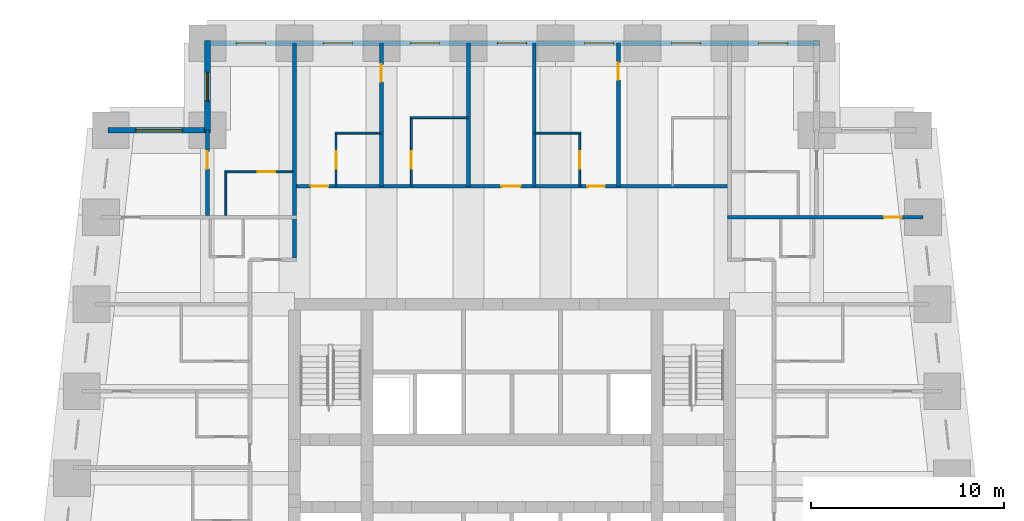
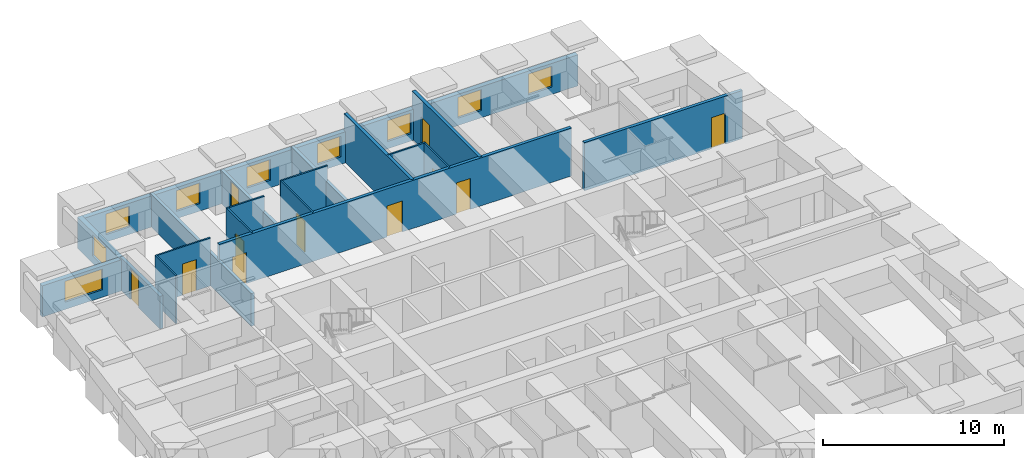
# One storey, part 6 of 8: 19 walls, 11 doors, 9 windows, 20 openings.
"""IFC4 building model written with IfcOpenShell, lengths in metres."""

from ifc_helpers import new_model, si_unit, direction, frame, frame_2d, origin, place, context, subcontext, project, spatial, rectangle, extrude, material, layer, layer_set, type_object, element, fill, save


model = new_model("IFC4")

# Units and contexts
model_context = context("Model", 3, precision=1e-05, world=origin(), true_north=direction((0.0, 1.0)))
body_context = subcontext(model_context, "Body", "Model", "MODEL_VIEW")
ifc_project = project(units=[si_unit("LENGTHUNIT", "METRE"), si_unit("AREAUNIT", "SQUARE_METRE"), si_unit("VOLUMEUNIT", "CUBIC_METRE"), si_unit("PLANEANGLEUNIT", "RADIAN"), si_unit("MASSUNIT", "GRAM", prefix="KILO")], contexts=[model_context])

# Site, building, storey
site_placement = place(None, origin())
site = spatial("IfcSite", under=ifc_project, at=site_placement, CompositionType="ELEMENT")
building_placement = place(site_placement, origin())
building = spatial("IfcBuilding", under=site, at=building_placement, Name="Kilele Tower Hotel", CompositionType="ELEMENT")
storey_placement = place(building_placement, frame((0.0, 0.0, 142.39990234375)))
storey = spatial("IfcBuildingStorey", under=building, at=storey_placement, Name="L37", CompositionType="ELEMENT", Elevation=142.39990234375)

# Wall
ifc_material_1 = material(Name="Moisture-resistant board")
ifc_layer_1 = layer(ifc_material_1, 0.10009765625)
ifc_layer_set_1 = layer_set([ifc_layer_1], Name="Moisture-resistant board")
wall_type_1 = type_object("IfcWallType", Name="Bathroom partition 100", PredefinedType="PLUMBINGWALL", material=ifc_layer_set_1)
wall_1_placement = place(storey_placement, frame((15.60009765625, 35.85009765625, 0.0), z_axis=(0.0, 0.0, 1.0), x_axis=(1.0, 0.0, 0.0)))
element("IfcWall", 1, at=wall_1_placement, inside=storey, type_object=wall_type_1, Name="Bathroom partition 100 L37", PredefinedType="PLUMBINGWALL", context=body_context, shape_type="SweptSolid", body=[
    extrude(rectangle(XDim=2.39990234375, YDim=0.10009765625, at=frame_2d((1.199951171875, 0.0))), origin(), (0.0, 0.0, 1.0), 3.25),
])

# Wall, opening, door
wall_2_placement = place(storey_placement, frame((15.64990234375, 33.10009765625, 0.0), z_axis=(0.0, 0.0, 1.0), x_axis=(0.0, 1.0, 0.0)))
wall_2 = element("IfcWall", 2, at=wall_2_placement, inside=storey, type_object=wall_type_1, Name="Bathroom partition 100 L37", PredefinedType="PLUMBINGWALL", context=body_context, shape_type="SweptSolid", body=[
    extrude(rectangle(XDim=2.7998046875, YDim=0.10009765625, at=frame_2d((1.39990234375, 0.0))), origin(), (0.0, 0.0, 1.0), 3.25),
])
opening_1_placement = place(wall_2_placement, frame((0.89990234375, 0.0, 0.0)))
opening_1 = element("IfcOpeningElement", 3, at=opening_1_placement, cuts=wall_2, Name="Opening D2A", PredefinedType="OPENING", context=body_context, shape_type="SweptSolid", body=[
    extrude(rectangle(XDim=0.89990234375, YDim=2.10009765625, at=frame_2d((0.449951171875, 1.050048828125))), frame((0.0, 0.06005859375, 0.0), z_axis=(0.0, -1.0, 0.0), x_axis=(1.0, 0.0, 0.0)), (0.0, 0.0, 1.0), 0.1201171875),
])
ifc_material_2 = material(Name="Timber door leaf in hardwood frame", Category="wood")
door_type_1 = type_object("IfcDoorType", Name="Bathroom door 900", OperationType="SINGLE_SWING_LEFT", PredefinedType="DOOR", material=ifc_material_2)
door_1_placement = place(opening_1_placement, origin())
door_1 = element("IfcDoor", 4, at=door_1_placement, inside=storey, type_object=door_type_1, Name="Bathroom door 3709B", OperationType="SINGLE_SWING_LEFT", OverallHeight=2.10009765625, OverallWidth=0.89990234375, PredefinedType="DOOR", context=body_context, shape_type="SweptSolid", body=[
    extrude(rectangle(XDim=0.89990234375, YDim=2.10009765625, at=frame_2d((0.449951171875, 1.050048828125))), frame((0.0, 0.02490234375, 0.0), z_axis=(0.0, -1.0, 0.0), x_axis=(1.0, 0.0, 0.0)), (0.0, 0.0, 1.0), 0.050048828125),
])
fill(opening_1, door_1)

# Wall
wall_3_placement = place(storey_placement, frame((19.5, 36.64990234375, 0.0), z_axis=(0.0, 0.0, 1.0), x_axis=(1.0, 0.0, 0.0)))
element("IfcWall", 5, at=wall_3_placement, inside=storey, type_object=wall_type_1, Name="Bathroom partition 100 L37", PredefinedType="PLUMBINGWALL", context=body_context, shape_type="SweptSolid", body=[
    extrude(rectangle(XDim=3.0, YDim=0.10009765625, at=frame_2d((1.5, 0.0))), origin(), (0.0, 0.0, 1.0), 3.25),
])

# Wall, opening, door
wall_4_placement = place(storey_placement, frame((19.550048828125, 33.10009765625, 0.0), z_axis=(0.0, 0.0, 1.0), x_axis=(0.0, 1.0, 0.0)))
wall_4 = element("IfcWall", 6, at=wall_4_placement, inside=storey, type_object=wall_type_1, Name="Bathroom partition 100 L37", PredefinedType="PLUMBINGWALL", context=body_context, shape_type="SweptSolid", body=[
    extrude(rectangle(XDim=3.599853515625, YDim=0.10009765625, at=frame_2d((1.7998046875, 0.0))), origin(), (0.0, 0.0, 1.0), 3.25),
])
opening_2_placement = place(wall_4_placement, frame((0.89990234375, 0.0, 0.0)))
opening_2 = element("IfcOpeningElement", 7, at=opening_2_placement, cuts=wall_4, Name="Opening D2A", PredefinedType="OPENING", context=body_context, shape_type="SweptSolid", body=[
    extrude(rectangle(XDim=0.89990234375, YDim=2.10009765625, at=frame_2d((0.449951171875, 1.050048828125))), frame((0.0, 0.06005859375, 0.0), z_axis=(0.0, -1.0, 0.0), x_axis=(1.0, 0.0, 0.0)), (0.0, 0.0, 1.0), 0.1201171875),
])
door_2_placement = place(opening_2_placement, origin())
door_2 = element("IfcDoor", 8, at=door_2_placement, inside=storey, type_object=door_type_1, Name="Bathroom door 3710B", OperationType="SINGLE_SWING_LEFT", OverallHeight=2.10009765625, OverallWidth=0.89990234375, PredefinedType="DOOR", context=body_context, shape_type="SweptSolid", body=[
    extrude(rectangle(XDim=0.89990234375, YDim=2.10009765625, at=frame_2d((0.449951171875, 1.050048828125))), frame((0.0, 0.02490234375, 0.0), z_axis=(0.0, -1.0, 0.0), x_axis=(1.0, 0.0, 0.0)), (0.0, 0.0, 1.0), 0.050048828125),
])
fill(opening_2, door_2)

# Wall
wall_5_placement = place(storey_placement, frame((25.89990234375, 35.85009765625, 0.0), z_axis=(0.0, 0.0, 1.0), x_axis=(1.0, 0.0, 0.0)))
element("IfcWall", 9, at=wall_5_placement, inside=storey, type_object=wall_type_1, Name="Bathroom partition 100 L37", PredefinedType="PLUMBINGWALL", context=body_context, shape_type="SweptSolid", body=[
    extrude(rectangle(XDim=2.400146484375, YDim=0.10009765625, at=frame_2d((1.2001953125, 0.0))), origin(), (0.0, 0.0, 1.0), 3.25),
])

# Wall, opening, door
wall_6_placement = place(storey_placement, frame((28.25, 33.10009765625, 0.0), z_axis=(0.0, 0.0, 1.0), x_axis=(0.0, 1.0, 0.0)))
wall_6 = element("IfcWall", 10, at=wall_6_placement, inside=storey, type_object=wall_type_1, Name="Bathroom partition 100 L37", PredefinedType="PLUMBINGWALL", context=body_context, shape_type="SweptSolid", body=[
    extrude(rectangle(XDim=2.7998046875, YDim=0.10009765625, at=frame_2d((1.39990234375, 0.0))), origin(), (0.0, 0.0, 1.0), 3.25),
])
opening_3_placement = place(wall_6_placement, frame((1.7998046875, 0.0, 0.0), z_axis=(0.0, 0.0, 1.0), x_axis=(-1.0, 0.0, 0.0)))
opening_3 = element("IfcOpeningElement", 11, at=opening_3_placement, cuts=wall_6, Name="Opening D2A", PredefinedType="OPENING", context=body_context, shape_type="SweptSolid", body=[
    extrude(rectangle(XDim=0.89990234375, YDim=2.10009765625, at=frame_2d((0.449951171875, 1.050048828125))), frame((0.0, 0.06005859375, 0.0), z_axis=(0.0, -1.0, 0.0), x_axis=(1.0, 0.0, 0.0)), (0.0, 0.0, 1.0), 0.1201171875),
])
door_3_placement = place(opening_3_placement, origin())
door_3 = element("IfcDoor", 12, at=door_3_placement, inside=storey, type_object=door_type_1, Name="Bathroom door 3712B", OperationType="SINGLE_SWING_RIGHT", OverallHeight=2.10009765625, OverallWidth=0.89990234375, PredefinedType="DOOR", context=body_context, shape_type="SweptSolid", body=[
    extrude(rectangle(XDim=0.89990234375, YDim=2.10009765625, at=frame_2d((0.449951171875, 1.050048828125))), frame((0.0, 0.02490234375, 0.0), z_axis=(0.0, -1.0, 0.0), x_axis=(1.0, 0.0, 0.0)), (0.0, 0.0, 1.0), 0.050048828125),
])
fill(opening_3, door_3)

# Wall
wall_7_placement = place(storey_placement, frame((9.949951171875, 31.60009765625, 0.0), z_axis=(0.0, 0.0, 1.0), x_axis=(0.0, 1.0, 0.0)))
element("IfcWall", 13, at=wall_7_placement, inside=storey, type_object=wall_type_1, Name="Bathroom partition 100 L37", PredefinedType="PLUMBINGWALL", context=body_context, shape_type="SweptSolid", body=[
    extrude(rectangle(XDim=2.2998046875, YDim=0.10009765625, at=frame_2d((1.14990234375, 0.0))), origin(), (0.0, 0.0, 1.0), 3.25),
])

# Wall, opening, door
wall_8_placement = place(storey_placement, frame((13.39990234375, 33.85009765625, 0.0), z_axis=(0.0, 0.0, 1.0), x_axis=(-1.0, 0.0, 0.0)))
wall_8 = element("IfcWall", 14, at=wall_8_placement, inside=storey, type_object=wall_type_1, Name="Bathroom partition 100 L37", PredefinedType="PLUMBINGWALL", context=body_context, shape_type="SweptSolid", body=[
    extrude(rectangle(XDim=3.5, YDim=0.10009765625, at=frame_2d((1.75, 0.0))), origin(), (0.0, 0.0, 1.0), 3.25),
])
opening_4_placement = place(wall_8_placement, frame((1.7998046875, 0.0, 0.0), z_axis=(0.0, 0.0, 1.0), x_axis=(-1.0, 0.0, 0.0)))
opening_4 = element("IfcOpeningElement", 15, at=opening_4_placement, cuts=wall_8, Name="Opening D2A", PredefinedType="OPENING", context=body_context, shape_type="SweptSolid", body=[
    extrude(rectangle(XDim=0.89990234375, YDim=2.10009765625, at=frame_2d((0.449951171875, 1.050048828125))), frame((0.0, 0.06005859375, 0.0), z_axis=(0.0, -1.0, 0.0), x_axis=(1.0, 0.0, 0.0)), (0.0, 0.0, 1.0), 0.1201171875),
])
door_4_placement = place(opening_4_placement, origin())
door_4 = element("IfcDoor", 16, at=door_4_placement, inside=storey, type_object=door_type_1, Name="Bathroom door 3727B", OperationType="SINGLE_SWING_RIGHT", OverallHeight=2.10009765625, OverallWidth=0.89990234375, PredefinedType="DOOR", context=body_context, shape_type="SweptSolid", body=[
    extrude(rectangle(XDim=0.89990234375, YDim=2.10009765625, at=frame_2d((0.449951171875, 1.050048828125))), frame((0.0, 0.02490234375, 0.0), z_axis=(0.0, -1.0, 0.0), x_axis=(1.0, 0.0, 0.0)), (0.0, 0.0, 1.0), 0.050048828125),
])
fill(opening_4, door_4)

# Wall, openings, doors
ifc_material_3 = material(Name="Blockwork, plastered both sides", Category="masonry")
ifc_layer_2 = layer(ifc_material_3, 0.199951171875)
ifc_layer_set_2 = layer_set([ifc_layer_2], Name="Blockwork, plastered both sides")
wall_type_2 = type_object("IfcWallType", Name="Corridor wall 200", PredefinedType="PARTITIONING", material=ifc_layer_set_2)
wall_9_placement = place(storey_placement, frame((13.5, 33.10009765625, 0.0), z_axis=(0.0, 0.0, 1.0), x_axis=(1.0, 0.0, 0.0)))
wall_9 = element("IfcWall", 17, at=wall_9_placement, inside=storey, type_object=wall_type_2, Name="Corridor wall 200 L37", PredefinedType="PARTITIONING", context=body_context, shape_type="SweptSolid", body=[
    extrude(rectangle(XDim=22.5, YDim=0.199951171875, at=frame_2d((11.25, 0.0))), origin(), (0.0, 0.0, 1.0), 3.25),
])
opening_5_placement = place(wall_9_placement, frame((0.85009765625, 0.0, 0.0)))
opening_5 = element("IfcOpeningElement", 18, at=opening_5_placement, cuts=wall_9, Name="Opening D1", PredefinedType="OPENING", context=body_context, shape_type="SweptSolid", body=[
    extrude(rectangle(XDim=0.89990234375, YDim=2.10009765625, at=frame_2d((0.449951171875, 1.050048828125))), frame((0.0, 0.10986328125, 0.0), z_axis=(0.0, -1.0, 0.0), x_axis=(1.0, 0.0, 0.0)), (0.0, 0.0, 1.0), 0.219970703125),
])
opening_6_placement = place(wall_9_placement, frame((10.699951171875, 0.0, 0.0)))
opening_6 = element("IfcOpeningElement", 19, at=opening_6_placement, cuts=wall_9, Name="Opening D8", PredefinedType="OPENING", context=body_context, shape_type="SweptSolid", body=[
    extrude(rectangle(XDim=1.0, YDim=2.10009765625, at=frame_2d((0.5, 1.050048828125))), frame((0.0, 0.10986328125, 0.0), z_axis=(0.0, -1.0, 0.0), x_axis=(1.0, 0.0, 0.0)), (0.0, 0.0, 1.0), 0.219970703125),
])
opening_7_placement = place(wall_9_placement, frame((15.14990234375, 0.0, 0.0)))
opening_7 = element("IfcOpeningElement", 20, at=opening_7_placement, cuts=wall_9, Name="Opening D1", PredefinedType="OPENING", context=body_context, shape_type="SweptSolid", body=[
    extrude(rectangle(XDim=0.89990234375, YDim=2.10009765625, at=frame_2d((0.449951171875, 1.050048828125))), frame((0.0, 0.10986328125, 0.0), z_axis=(0.0, -1.0, 0.0), x_axis=(1.0, 0.0, 0.0)), (0.0, 0.0, 1.0), 0.219970703125),
])
ifc_material_4 = material(Name="Timber door leaf in hardwood frame", Category="wood")
door_type_2 = type_object("IfcDoorType", Name="Door 1000", OperationType="SINGLE_SWING_LEFT", PredefinedType="DOOR", material=ifc_material_4)
door_5_placement = place(opening_6_placement, origin())
door_5 = element("IfcDoor", 21, at=door_5_placement, inside=storey, type_object=door_type_2, Name="Room entrance 3711", OperationType="SINGLE_SWING_RIGHT", OverallHeight=2.10009765625, OverallWidth=1.0, PredefinedType="DOOR", context=body_context, shape_type="SweptSolid", body=[
    extrude(rectangle(XDim=1.0, YDim=2.10009765625, at=frame_2d((0.5, 1.050048828125))), frame((0.0, 0.02490234375, 0.0), z_axis=(0.0, -1.0, 0.0), x_axis=(1.0, 0.0, 0.0)), (0.0, 0.0, 1.0), 0.050048828125),
])
fill(opening_6, door_5)
ifc_material_5 = material(Name="Timber door leaf in hardwood frame", Category="wood")
door_type_3 = type_object("IfcDoorType", Name="Guest room entrance door 900", OperationType="SINGLE_SWING_LEFT", PredefinedType="DOOR", material=ifc_material_5)
door_6_placement = place(opening_5_placement, origin())
door_6 = element("IfcDoor", 22, at=door_6_placement, inside=storey, type_object=door_type_3, Name="Room entrance 3709", OperationType="SINGLE_SWING_RIGHT", OverallHeight=2.10009765625, OverallWidth=0.89990234375, PredefinedType="DOOR", context=body_context, shape_type="SweptSolid", body=[
    extrude(rectangle(XDim=0.89990234375, YDim=2.10009765625, at=frame_2d((0.449951171875, 1.050048828125))), frame((0.0, 0.02490234375, 0.0), z_axis=(0.0, -1.0, 0.0), x_axis=(1.0, 0.0, 0.0)), (0.0, 0.0, 1.0), 0.050048828125),
])
fill(opening_5, door_6)
door_7_placement = place(opening_7_placement, origin())
door_7 = element("IfcDoor", 23, at=door_7_placement, inside=storey, type_object=door_type_3, Name="Room entrance 3712", OperationType="SINGLE_SWING_LEFT", OverallHeight=2.10009765625, OverallWidth=0.89990234375, PredefinedType="DOOR", context=body_context, shape_type="SweptSolid", body=[
    extrude(rectangle(XDim=0.89990234375, YDim=2.10009765625, at=frame_2d((0.449951171875, 1.050048828125))), frame((0.0, 0.02490234375, 0.0), z_axis=(0.0, -1.0, 0.0), x_axis=(1.0, 0.0, 0.0)), (0.0, 0.0, 1.0), 0.050048828125),
])
fill(opening_7, door_7)

# Wall, opening, door
ifc_material_6 = material(Name="Blockwork, plastered both sides", Category="masonry")
ifc_layer_3 = layer(ifc_material_6, 0.199951171875)
ifc_layer_set_3 = layer_set([ifc_layer_3], Name="Blockwork, plastered both sides")
wall_type_3 = type_object("IfcWallType", Name="Partition wall 200", PredefinedType="PARTITIONING", material=ifc_layer_set_3)
wall_10_placement = place(storey_placement, frame((9.0, 31.60009765625, 0.0), z_axis=(0.0, 0.0, 1.0), x_axis=(0.0, 1.0, 0.0)))
wall_10 = element("IfcWall", 24, at=wall_10_placement, inside=storey, type_object=wall_type_3, Name="Partition wall 200 L37", PredefinedType="PARTITIONING", context=body_context, shape_type="SweptSolid", body=[
    extrude(rectangle(XDim=4.39990234375, YDim=0.199951171875, at=frame_2d((2.199951171875, 0.0))), origin(), (0.0, 0.0, 1.0), 2.2001953125),
])
opening_8_placement = place(wall_10_placement, frame((3.2998046875, 0.0, 0.0), z_axis=(0.0, 0.0, 1.0), x_axis=(-1.0, 0.0, 0.0)))
opening_8 = element("IfcOpeningElement", 25, at=opening_8_placement, cuts=wall_10, Name="Opening D3", PredefinedType="OPENING", context=body_context, shape_type="SweptSolid", body=[
    extrude(rectangle(XDim=0.89990234375, YDim=2.10009765625, at=frame_2d((0.449951171875, 1.050048828125))), frame((0.0, 0.10986328125, 0.0), z_axis=(0.0, -1.0, 0.0), x_axis=(1.0, 0.0, 0.0)), (0.0, 0.0, 1.0), 0.219970703125),
])
ifc_material_7 = material(Name="Timber door leaf in hardwood frame", Category="wood")
door_type_4 = type_object("IfcDoorType", Name="Suite internal door 900", OperationType="SINGLE_SWING_LEFT", PredefinedType="DOOR", material=ifc_material_7)
door_8_placement = place(opening_8_placement, origin())
door_8 = element("IfcDoor", 26, at=door_8_placement, inside=storey, type_object=door_type_4, Name="Suite door 3728", OperationType="SINGLE_SWING_RIGHT", OverallHeight=2.10009765625, OverallWidth=0.89990234375, PredefinedType="DOOR", context=body_context, shape_type="SweptSolid", body=[
    extrude(rectangle(XDim=0.89990234375, YDim=2.10009765625, at=frame_2d((0.449951171875, 1.050048828125))), frame((0.0, 0.02490234375, 0.0), z_axis=(0.0, -1.0, 0.0), x_axis=(1.0, 0.0, 0.0)), (0.0, 0.0, 1.0), 0.050048828125),
])
fill(opening_8, door_8)

ifc_material_8 = material(Name="Blockwork, plastered both sides", Category="masonry")
ifc_layer_4 = layer(ifc_material_8, 0.199951171875)
ifc_layer_set_4 = layer_set([ifc_layer_4], Name="Blockwork, plastered both sides")
wall_type_4 = type_object("IfcWallType", Name="Party wall 200", PredefinedType="PARTITIONING", material=ifc_layer_set_4)
wall_11_placement = place(storey_placement, frame((18.0, 33.10009765625, 0.0), z_axis=(0.0, 0.0, 1.0), x_axis=(0.0, 1.0, 0.0)))
wall_11 = element("IfcWall", 27, at=wall_11_placement, inside=storey, type_object=wall_type_4, Name="Party wall 200 L37", PredefinedType="PARTITIONING", context=body_context, shape_type="SweptSolid", body=[
    extrude(rectangle(XDim=7.39990234375, YDim=0.199951171875, at=frame_2d((3.699951171875, 0.0))), origin(), (0.0, 0.0, 1.0), 2.2001953125),
])
opening_9_placement = place(wall_11_placement, frame((5.39990234375, 0.0, 0.0)))
opening_9 = element("IfcOpeningElement", 28, at=opening_9_placement, cuts=wall_11, Name="Opening D3", PredefinedType="OPENING", context=body_context, shape_type="SweptSolid", body=[
    extrude(rectangle(XDim=0.89990234375, YDim=2.10009765625, at=frame_2d((0.449951171875, 1.050048828125))), frame((0.0, 0.10986328125, 0.0), z_axis=(0.0, -1.0, 0.0), x_axis=(1.0, 0.0, 0.0)), (0.0, 0.0, 1.0), 0.219970703125),
])
door_9_placement = place(opening_9_placement, origin())
door_9 = element("IfcDoor", 29, at=door_9_placement, inside=storey, type_object=door_type_4, Name="Suite door 3710", OperationType="SINGLE_SWING_RIGHT", OverallHeight=2.10009765625, OverallWidth=0.89990234375, PredefinedType="DOOR", context=body_context, shape_type="SweptSolid", body=[
    extrude(rectangle(XDim=0.89990234375, YDim=2.10009765625, at=frame_2d((0.449951171875, 1.050048828125))), frame((0.0, 0.02490234375, 0.0), z_axis=(0.0, -1.0, 0.0), x_axis=(1.0, 0.0, 0.0)), (0.0, 0.0, 1.0), 0.050048828125),
])
fill(opening_9, door_9)

# Walls
wall_12_placement = place(storey_placement, frame((22.5, 33.10009765625, 0.0), z_axis=(0.0, 0.0, 1.0), x_axis=(0.0, 1.0, 0.0)))
element("IfcWall", 30, at=wall_12_placement, inside=storey, type_object=wall_type_4, Name="Party wall 200 L37", PredefinedType="PARTITIONING", context=body_context, shape_type="SweptSolid", body=[
    extrude(rectangle(XDim=7.39990234375, YDim=0.199951171875, at=frame_2d((3.699951171875, 0.0))), origin(), (0.0, 0.0, 1.0), 2.2001953125),
])
wall_13_placement = place(storey_placement, frame((25.89990234375, 33.10009765625, 0.0), z_axis=(0.0, 0.0, 1.0), x_axis=(0.0, 1.0, 0.0)))
element("IfcWall", 31, at=wall_13_placement, inside=storey, type_object=wall_type_4, Name="Party wall 200 L37", PredefinedType="PARTITIONING", context=body_context, shape_type="SweptSolid", body=[
    extrude(rectangle(XDim=7.39990234375, YDim=0.199951171875, at=frame_2d((3.699951171875, 0.0))), origin(), (0.0, 0.0, 1.0), 3.25),
])

# Wall, opening, door
wall_14_placement = place(storey_placement, frame((30.25, 33.10009765625, 0.0), z_axis=(0.0, 0.0, 1.0), x_axis=(0.0, 1.0, 0.0)))
wall_14 = element("IfcWall", 32, at=wall_14_placement, inside=storey, type_object=wall_type_4, Name="Party wall 200 L37", PredefinedType="PARTITIONING", context=body_context, shape_type="SweptSolid", body=[
    extrude(rectangle(XDim=7.39990234375, YDim=0.199951171875, at=frame_2d((3.699951171875, 0.0))), origin(), (0.0, 0.0, 1.0), 3.25),
])
opening_10_placement = place(wall_14_placement, frame((5.5, 0.0, 0.0)))
opening_10 = element("IfcOpeningElement", 33, at=opening_10_placement, cuts=wall_14, Name="Opening D3", PredefinedType="OPENING", context=body_context, shape_type="SweptSolid", body=[
    extrude(rectangle(XDim=0.89990234375, YDim=2.10009765625, at=frame_2d((0.449951171875, 1.050048828125))), frame((0.0, 0.10986328125, 0.0), z_axis=(0.0, -1.0, 0.0), x_axis=(1.0, 0.0, 0.0)), (0.0, 0.0, 1.0), 0.219970703125),
])
door_10_placement = place(opening_10_placement, origin())
door_10 = element("IfcDoor", 34, at=door_10_placement, inside=storey, type_object=door_type_4, Name="Suite door 3713", OperationType="SINGLE_SWING_RIGHT", OverallHeight=2.10009765625, OverallWidth=0.89990234375, PredefinedType="DOOR", context=body_context, shape_type="SweptSolid", body=[
    extrude(rectangle(XDim=0.89990234375, YDim=2.10009765625, at=frame_2d((0.449951171875, 1.050048828125))), frame((0.0, 0.02490234375, 0.0), z_axis=(0.0, -1.0, 0.0), x_axis=(1.0, 0.0, 0.0)), (0.0, 0.0, 1.0), 0.050048828125),
])
fill(opening_10, door_10)

wall_15_placement = place(storey_placement, frame((35.89990234375, 31.5, 0.0), z_axis=(0.0, 0.0, 1.0), x_axis=(1.0, 0.0, 0.0)))
wall_15 = element("IfcWall", 35, at=wall_15_placement, inside=storey, type_object=wall_type_4, Name="Party wall 200 L37", PredefinedType="PARTITIONING", context=body_context, shape_type="SweptSolid", body=[
    extrude(rectangle(XDim=10.09912109375, YDim=0.199951171875, at=frame_2d((5.049560546875, 0.0))), origin(), (0.0, 0.0, 1.0), 3.25),
])
opening_11_placement = place(wall_15_placement, frame((8.09912109375, 0.0, 0.0)))
opening_11 = element("IfcOpeningElement", 36, at=opening_11_placement, cuts=wall_15, Name="Opening D3", PredefinedType="OPENING", context=body_context, shape_type="SweptSolid", body=[
    extrude(rectangle(XDim=0.89990234375, YDim=2.10009765625, at=frame_2d((0.449951171875, 1.050048828125))), frame((0.0, 0.10986328125, 0.0), z_axis=(0.0, -1.0, 0.0), x_axis=(1.0, 0.0, 0.0)), (0.0, 0.0, 1.0), 0.219970703125),
])
door_11_placement = place(opening_11_placement, origin())
door_11 = element("IfcDoor", 37, at=door_11_placement, inside=storey, type_object=door_type_4, Name="Suite door 3724", OperationType="SINGLE_SWING_RIGHT", OverallHeight=2.10009765625, OverallWidth=0.89990234375, PredefinedType="DOOR", context=body_context, shape_type="SweptSolid", body=[
    extrude(rectangle(XDim=0.89990234375, YDim=2.10009765625, at=frame_2d((0.449951171875, 1.050048828125))), frame((0.0, 0.02490234375, 0.0), z_axis=(0.0, -1.0, 0.0), x_axis=(1.0, 0.0, 0.0)), (0.0, 0.0, 1.0), 0.050048828125),
])
fill(opening_11, door_11)

# Wall
wall_16_placement = place(storey_placement, frame((13.5, 29.300048828125, 0.0), z_axis=(0.0, 0.0, 1.0), x_axis=(0.0, 1.0, 0.0)))
element("IfcWall", 38, at=wall_16_placement, inside=storey, type_object=wall_type_4, Name="Party wall 200 L37", PredefinedType="PARTITIONING", context=body_context, shape_type="SweptSolid", body=[
    extrude(rectangle(XDim=11.199951171875, YDim=0.199951171875, at=frame_2d((5.60009765625, 0.0))), origin(), (0.0, 0.0, 1.0), 2.2001953125),
])

# Wall, openings, windows
ifc_material_9 = material(Name="Concrete C40/50 precast", Category="concrete")
ifc_layer_5 = layer(ifc_material_9, 0.260009765625, Name="Precast backing", Category="LoadBearing")
ifc_material_10 = material(Name="Reconstituted stone finish", Category="masonry")
ifc_layer_6 = layer(ifc_material_10, 0.0400390625, Name="Face mix", Category="Finish")
ifc_layer_set_5 = layer_set([ifc_layer_5, ifc_layer_6], Name="Precast concrete C40/50, reconstituted stone finish")
wall_type_5 = type_object("IfcWallType", Name="Precast stone facade wall 300", PredefinedType="STANDARD", material=ifc_layer_set_5)
wall_17_placement = place(storey_placement, frame((40.64990234375, 40.5, 0.0), z_axis=(0.0, 0.0, 1.0), x_axis=(-1.0, 0.0, 0.0)))
wall_17 = element("IfcWall", 39, at=wall_17_placement, inside=storey, type_object=wall_type_5, Name="Facade wall L37 edge 9", PredefinedType="STANDARD", context=body_context, shape_type="SweptSolid", body=[
    extrude(rectangle(XDim=31.7998046875, YDim=0.300048828125, at=frame_2d((15.89990234375, 0.0))), origin(), (0.0, 0.0, 1.0), 2.10009765625),
])
opening_12_placement = place(wall_17_placement, frame((1.64990234375, 0.0, 0.5)))
opening_12 = element("IfcOpeningElement", 40, at=opening_12_placement, cuts=wall_17, Name="Opening W2", PredefinedType="OPENING", context=body_context, shape_type="SweptSolid", body=[
    extrude(rectangle(XDim=1.5, YDim=1.39990234375, at=frame_2d((0.75, 0.699951171875))), frame((0.0, 0.159912109375, 0.0), z_axis=(0.0, -1.0, 0.0), x_axis=(1.0, 0.0, 0.0)), (0.0, 0.0, 1.0), 0.320068359375),
])
opening_13_placement = place(wall_17_placement, frame((6.14990234375, 0.0, 0.5)))
opening_13 = element("IfcOpeningElement", 41, at=opening_13_placement, cuts=wall_17, Name="Opening W2", PredefinedType="OPENING", context=body_context, shape_type="SweptSolid", body=[
    extrude(rectangle(XDim=1.5, YDim=1.39990234375, at=frame_2d((0.75, 0.699951171875))), frame((0.0, 0.159912109375, 0.0), z_axis=(0.0, -1.0, 0.0), x_axis=(1.0, 0.0, 0.0)), (0.0, 0.0, 1.0), 0.320068359375),
])
opening_14_placement = place(wall_17_placement, frame((10.64990234375, 0.0, 0.5)))
opening_14 = element("IfcOpeningElement", 42, at=opening_14_placement, cuts=wall_17, Name="Opening W2", PredefinedType="OPENING", context=body_context, shape_type="SweptSolid", body=[
    extrude(rectangle(XDim=1.5, YDim=1.39990234375, at=frame_2d((0.75, 0.699951171875))), frame((0.0, 0.159912109375, 0.0), z_axis=(0.0, -1.0, 0.0), x_axis=(1.0, 0.0, 0.0)), (0.0, 0.0, 1.0), 0.320068359375),
])
opening_15_placement = place(wall_17_placement, frame((15.14990234375, 0.0, 0.5)))
opening_15 = element("IfcOpeningElement", 43, at=opening_15_placement, cuts=wall_17, Name="Opening W2", PredefinedType="OPENING", context=body_context, shape_type="SweptSolid", body=[
    extrude(rectangle(XDim=1.5, YDim=1.39990234375, at=frame_2d((0.75, 0.699951171875))), frame((0.0, 0.159912109375, 0.0), z_axis=(0.0, -1.0, 0.0), x_axis=(1.0, 0.0, 0.0)), (0.0, 0.0, 1.0), 0.320068359375),
])
opening_16_placement = place(wall_17_placement, frame((19.64990234375, 0.0, 0.5)))
opening_16 = element("IfcOpeningElement", 44, at=opening_16_placement, cuts=wall_17, Name="Opening W2", PredefinedType="OPENING", context=body_context, shape_type="SweptSolid", body=[
    extrude(rectangle(XDim=1.5, YDim=1.39990234375, at=frame_2d((0.75, 0.699951171875))), frame((0.0, 0.159912109375, 0.0), z_axis=(0.0, -1.0, 0.0), x_axis=(1.0, 0.0, 0.0)), (0.0, 0.0, 1.0), 0.320068359375),
])
opening_17_placement = place(wall_17_placement, frame((24.14990234375, 0.0, 0.5)))
opening_17 = element("IfcOpeningElement", 45, at=opening_17_placement, cuts=wall_17, Name="Opening W2", PredefinedType="OPENING", context=body_context, shape_type="SweptSolid", body=[
    extrude(rectangle(XDim=1.5, YDim=1.39990234375, at=frame_2d((0.75, 0.699951171875))), frame((0.0, 0.159912109375, 0.0), z_axis=(0.0, -1.0, 0.0), x_axis=(1.0, 0.0, 0.0)), (0.0, 0.0, 1.0), 0.320068359375),
])
opening_18_placement = place(wall_17_placement, frame((28.64990234375, 0.0, 0.5)))
opening_18 = element("IfcOpeningElement", 46, at=opening_18_placement, cuts=wall_17, Name="Opening W2", PredefinedType="OPENING", context=body_context, shape_type="SweptSolid", body=[
    extrude(rectangle(XDim=1.5, YDim=1.39990234375, at=frame_2d((0.75, 0.699951171875))), frame((0.0, 0.159912109375, 0.0), z_axis=(0.0, -1.0, 0.0), x_axis=(1.0, 0.0, 0.0)), (0.0, 0.0, 1.0), 0.320068359375),
])
ifc_material_11 = material(Name="Aluminium frame, clear double glazing", Category="aluminium")
window_type_1 = type_object("IfcWindowType", Name="Window W2 1500 x 1400", PartitioningType="SINGLE_PANEL", PredefinedType="WINDOW", material=ifc_material_11)
window_1_placement = place(opening_12_placement, origin())
window_1 = element("IfcWindow", 47, at=window_1_placement, inside=storey, type_object=window_type_1, Name="Window L37", OverallHeight=1.39990234375, OverallWidth=1.5, PartitioningType="SINGLE_PANEL", PredefinedType="WINDOW", context=body_context, shape_type="SweptSolid", body=[
    extrude(rectangle(XDim=1.5, YDim=1.39990234375, at=frame_2d((0.75, 0.699951171875))), frame((0.0, 0.030029296875, 0.0), z_axis=(0.0, -1.0, 0.0), x_axis=(1.0, 0.0, 0.0)), (0.0, 0.0, 1.0), 0.06005859375),
])
fill(opening_12, window_1)
window_2_placement = place(opening_13_placement, origin())
window_2 = element("IfcWindow", 48, at=window_2_placement, inside=storey, type_object=window_type_1, Name="Window L37", OverallHeight=1.39990234375, OverallWidth=1.5, PartitioningType="SINGLE_PANEL", PredefinedType="WINDOW", context=body_context, shape_type="SweptSolid", body=[
    extrude(rectangle(XDim=1.5, YDim=1.39990234375, at=frame_2d((0.75, 0.699951171875))), frame((0.0, 0.030029296875, 0.0), z_axis=(0.0, -1.0, 0.0), x_axis=(1.0, 0.0, 0.0)), (0.0, 0.0, 1.0), 0.06005859375),
])
fill(opening_13, window_2)
window_3_placement = place(opening_14_placement, origin())
window_3 = element("IfcWindow", 49, at=window_3_placement, inside=storey, type_object=window_type_1, Name="Window L37", OverallHeight=1.39990234375, OverallWidth=1.5, PartitioningType="SINGLE_PANEL", PredefinedType="WINDOW", context=body_context, shape_type="SweptSolid", body=[
    extrude(rectangle(XDim=1.5, YDim=1.39990234375, at=frame_2d((0.75, 0.699951171875))), frame((0.0, 0.030029296875, 0.0), z_axis=(0.0, -1.0, 0.0), x_axis=(1.0, 0.0, 0.0)), (0.0, 0.0, 1.0), 0.06005859375),
])
fill(opening_14, window_3)
window_4_placement = place(opening_15_placement, origin())
window_4 = element("IfcWindow", 50, at=window_4_placement, inside=storey, type_object=window_type_1, Name="Window L37", OverallHeight=1.39990234375, OverallWidth=1.5, PartitioningType="SINGLE_PANEL", PredefinedType="WINDOW", context=body_context, shape_type="SweptSolid", body=[
    extrude(rectangle(XDim=1.5, YDim=1.39990234375, at=frame_2d((0.75, 0.699951171875))), frame((0.0, 0.030029296875, 0.0), z_axis=(0.0, -1.0, 0.0), x_axis=(1.0, 0.0, 0.0)), (0.0, 0.0, 1.0), 0.06005859375),
])
fill(opening_15, window_4)
window_5_placement = place(opening_16_placement, origin())
window_5 = element("IfcWindow", 51, at=window_5_placement, inside=storey, type_object=window_type_1, Name="Window L37", OverallHeight=1.39990234375, OverallWidth=1.5, PartitioningType="SINGLE_PANEL", PredefinedType="WINDOW", context=body_context, shape_type="SweptSolid", body=[
    extrude(rectangle(XDim=1.5, YDim=1.39990234375, at=frame_2d((0.75, 0.699951171875))), frame((0.0, 0.030029296875, 0.0), z_axis=(0.0, -1.0, 0.0), x_axis=(1.0, 0.0, 0.0)), (0.0, 0.0, 1.0), 0.06005859375),
])
fill(opening_16, window_5)
window_6_placement = place(opening_17_placement, origin())
window_6 = element("IfcWindow", 52, at=window_6_placement, inside=storey, type_object=window_type_1, Name="Window L37", OverallHeight=1.39990234375, OverallWidth=1.5, PartitioningType="SINGLE_PANEL", PredefinedType="WINDOW", context=body_context, shape_type="SweptSolid", body=[
    extrude(rectangle(XDim=1.5, YDim=1.39990234375, at=frame_2d((0.75, 0.699951171875))), frame((0.0, 0.030029296875, 0.0), z_axis=(0.0, -1.0, 0.0), x_axis=(1.0, 0.0, 0.0)), (0.0, 0.0, 1.0), 0.06005859375),
])
fill(opening_17, window_6)
window_7_placement = place(opening_18_placement, origin())
window_7 = element("IfcWindow", 53, at=window_7_placement, inside=storey, type_object=window_type_1, Name="Window L37", OverallHeight=1.39990234375, OverallWidth=1.5, PartitioningType="SINGLE_PANEL", PredefinedType="WINDOW", context=body_context, shape_type="SweptSolid", body=[
    extrude(rectangle(XDim=1.5, YDim=1.39990234375, at=frame_2d((0.75, 0.699951171875))), frame((0.0, 0.030029296875, 0.0), z_axis=(0.0, -1.0, 0.0), x_axis=(1.0, 0.0, 0.0)), (0.0, 0.0, 1.0), 0.06005859375),
])
fill(opening_18, window_7)

# Wall, opening, window
wall_18_placement = place(storey_placement, frame((9.0, 40.64990234375, 0.0), z_axis=(0.0, 0.0, 1.0), x_axis=(0.0, -1.0, 0.0)))
wall_18 = element("IfcWall", 54, at=wall_18_placement, inside=storey, type_object=wall_type_5, Name="Facade wall L37 edge 10", PredefinedType="STANDARD", context=body_context, shape_type="SweptSolid", body=[
    extrude(rectangle(XDim=4.7998046875, YDim=0.300048828125, at=frame_2d((2.39990234375, 0.0))), origin(), (0.0, 0.0, 1.0), 2.10009765625),
])
opening_19_placement = place(wall_18_placement, frame((1.64990234375, 0.0, 0.5)))
opening_19 = element("IfcOpeningElement", 55, at=opening_19_placement, cuts=wall_18, Name="Opening W2", PredefinedType="OPENING", context=body_context, shape_type="SweptSolid", body=[
    extrude(rectangle(XDim=1.5, YDim=1.39990234375, at=frame_2d((0.75, 0.699951171875))), frame((0.0, 0.159912109375, 0.0), z_axis=(0.0, -1.0, 0.0), x_axis=(1.0, 0.0, 0.0)), (0.0, 0.0, 1.0), 0.320068359375),
])
window_8_placement = place(opening_19_placement, origin())
window_8 = element("IfcWindow", 56, at=window_8_placement, inside=storey, type_object=window_type_1, Name="Window L37", OverallHeight=1.39990234375, OverallWidth=1.5, PartitioningType="SINGLE_PANEL", PredefinedType="WINDOW", context=body_context, shape_type="SweptSolid", body=[
    extrude(rectangle(XDim=1.5, YDim=1.39990234375, at=frame_2d((0.75, 0.699951171875))), frame((0.0, 0.030029296875, 0.0), z_axis=(0.0, -1.0, 0.0), x_axis=(1.0, 0.0, 0.0)), (0.0, 0.0, 1.0), 0.06005859375),
])
fill(opening_19, window_8)

wall_19_placement = place(storey_placement, frame((9.14990234375, 36.0, 0.0), z_axis=(0.0, 0.0, 1.0), x_axis=(-1.0, 0.0, 0.0)))
wall_19 = element("IfcWall", 57, at=wall_19_placement, inside=storey, type_object=wall_type_5, Name="Facade wall L37 edge 11", PredefinedType="STANDARD", context=body_context, shape_type="SweptSolid", body=[
    extrude(rectangle(XDim=5.2998046875, YDim=0.300048828125, at=frame_2d((2.64990234375, 0.0))), origin(), (0.0, 0.0, 1.0), 2.10009765625),
])
opening_20_placement = place(wall_19_placement, frame((1.449951171875, 0.0, 0.5)))
opening_20 = element("IfcOpeningElement", 58, at=opening_20_placement, cuts=wall_19, Name="Opening W2", PredefinedType="OPENING", context=body_context, shape_type="SweptSolid", body=[
    extrude(rectangle(XDim=2.39990234375, YDim=1.39990234375, at=frame_2d((1.199951171875, 0.699951171875))), frame((0.0, 0.159912109375, 0.0), z_axis=(0.0, -1.0, 0.0), x_axis=(1.0, 0.0, 0.0)), (0.0, 0.0, 1.0), 0.320068359375),
])
ifc_material_12 = material(Name="Aluminium frame, clear double glazing", Category="aluminium")
window_type_2 = type_object("IfcWindowType", Name="Window W2 2400 x 1400", PartitioningType="SINGLE_PANEL", PredefinedType="WINDOW", material=ifc_material_12)
window_9_placement = place(opening_20_placement, origin())
window_9 = element("IfcWindow", 59, at=window_9_placement, inside=storey, type_object=window_type_2, Name="Window L37", OverallHeight=1.39990234375, OverallWidth=2.39990234375, PartitioningType="SINGLE_PANEL", PredefinedType="WINDOW", context=body_context, shape_type="SweptSolid", body=[
    extrude(rectangle(XDim=2.39990234375, YDim=1.39990234375, at=frame_2d((1.199951171875, 0.699951171875))), frame((0.0, 0.030029296875, 0.0), z_axis=(0.0, -1.0, 0.0), x_axis=(1.0, 0.0, 0.0)), (0.0, 0.0, 1.0), 0.06005859375),
])
fill(opening_20, window_9)

save(model, "model.ifc")
